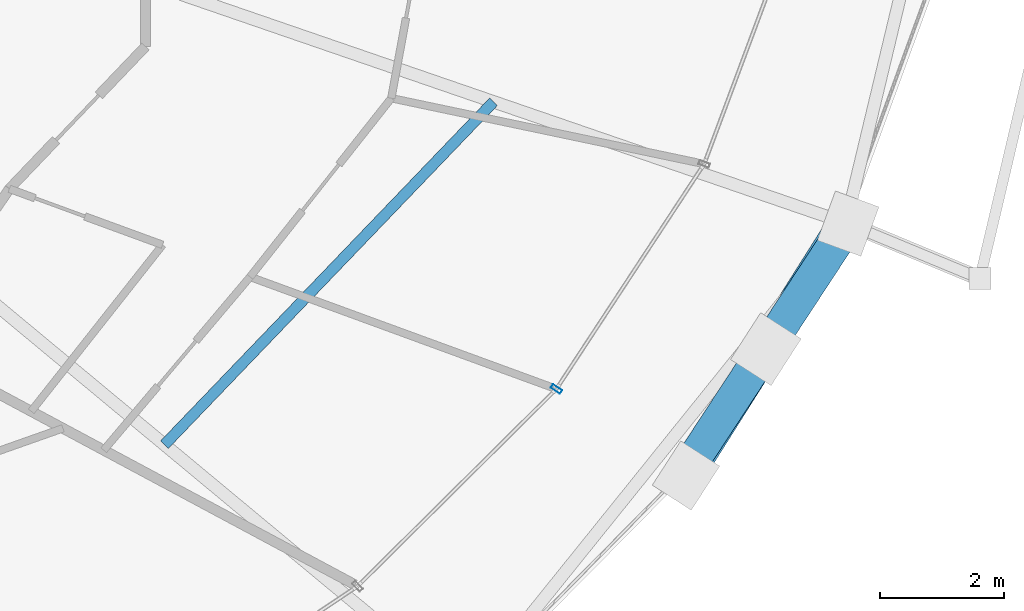
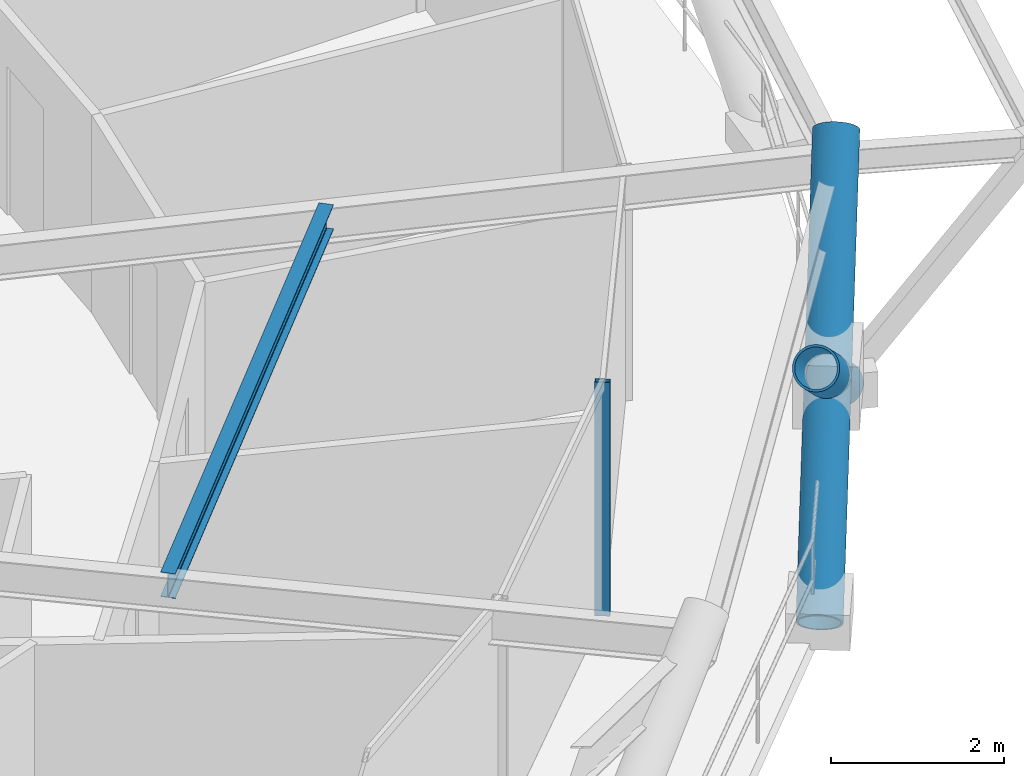
# One storey, part 8 of 22: 4 members, 1 beam, 1 element without a shape of its own.
"""IFC4 building model written with IfcOpenShell, lengths in metres."""

from ifc_helpers import new_model, si_unit, direction, frame, origin, origin_2d, place, context, subcontext, project, spatial, hollow_rectangle, hollow_circle, i_section, extrude, material, layer, layer_set, material_profile, profile_set, type_object, element, aggregate, save


model = new_model("IFC4")

# Units and contexts
model_context = context("Model", 3, precision=1e-05, world=origin(), true_north=direction((0.0, 1.0)))
body_context = subcontext(model_context, "Body", "Model", "MODEL_VIEW")
ifc_project = project(units=[si_unit("LENGTHUNIT", "METRE"), si_unit("AREAUNIT", "SQUARE_METRE"), si_unit("VOLUMEUNIT", "CUBIC_METRE"), si_unit("PLANEANGLEUNIT", "RADIAN"), si_unit("MASSUNIT", "GRAM", prefix="KILO")], contexts=[model_context])

# Site, building, storey
site_placement = place(None, origin())
site = spatial("IfcSite", under=ifc_project, at=site_placement, CompositionType="ELEMENT")
building_placement = place(site_placement, origin())
building = spatial("IfcBuilding", under=site, at=building_placement, Name="Veldorina Hangang Commons", CompositionType="ELEMENT")
storey_placement = place(building_placement, frame((0.0, 0.0, 146.0)))
storey = spatial("IfcBuildingStorey", under=building, at=storey_placement, Name="L37", CompositionType="ELEMENT", Elevation=146.0)

# Beam
ifc_material_1 = material(Name="Steel SM355-TMC", Category="steel")
ifc_material_profile_1 = material_profile(ifc_material_1, i_section(OverallWidth=0.175048828125, OverallDepth=0.35009765625, WebThickness=0.007080078125, FlangeThickness=0.010986328125, FilletRadius=0.012939453125, at=origin_2d()), Name="H-350x175x7x11")
ifc_profile_set_1 = profile_set([ifc_material_profile_1], Name="Steel SM355-TMC")
beam_type = type_object("IfcBeamType", Name="BM-JST350", PredefinedType="JOIST", material=ifc_profile_set_1)
beam_placement = place(storey_placement, frame((47.156982421875, 11.41064453125, 3.175048828125), z_axis=(0.692356542622, 0.721555554263, 0.0), x_axis=(-0.721555554263, 0.692356542622, 0.0)))
element("IfcBeam", 1, at=beam_placement, inside=storey, type_object=beam_type, Name="L37 secondary floor joist 15", PredefinedType="JOIST", context=body_context, shape_type="SweptSolid", body=[
    extrude(i_section(OverallWidth=0.175048828125, OverallDepth=0.35009765625, WebThickness=0.007080078125, FlangeThickness=0.010986328125, FilletRadius=0.012939453125, at=origin_2d()), origin(), (0.0, 0.0, 1.0), 7.68408203125),
])

# Curtain wall, member
ifc_material_2 = material(Name="Glass Low-E Triple IGU", Category="glass")
ifc_layer = layer(ifc_material_2, 0.179931640625)
ifc_layer_set = layer_set([ifc_layer], Name="Glass Low-E Triple IGU")
curtain_wall_type = type_object("IfcCurtainWallType", Name="CW-SYS-Z2", PredefinedType="NOTDEFINED", material=ifc_layer_set)
curtain_wall_placement = place(storey_placement, origin())
curtain_wall = element("IfcCurtainWall", 2, at=curtain_wall_placement, inside=storey, type_object=curtain_wall_type, Name="L37 unitised curtain wall CW-L37-R2", PredefinedType="NOTDEFINED")
ifc_material_3 = material(Name="Aluminium Anodized AA6063-T6", Category="aluminium")
ifc_material_profile_2 = material_profile(ifc_material_3, hollow_rectangle(XDim=0.070068359375, YDim=0.179931640625, WallThickness=0.00390625, at=origin_2d()), Name="ALU-RHS-180x70x4")
ifc_profile_set_2 = profile_set([ifc_material_profile_2], Name="Aluminium Anodized AA6063-T6")
member_type_1 = type_object("IfcMemberType", Name="CW-MUL-180", PredefinedType="MULLION", material=ifc_profile_set_2)
member_1_placement = place(storey_placement, frame((53.493896484375, 12.311279296875, 0.0), z_axis=(0.0, 0.0, 1.0), x_axis=(0.548935289446, 0.83586485032, 0.0)))
member_1 = element("IfcMember", 3, at=member_1_placement, type_object=member_type_1, Name="CW-L37-R2 vertical mullion 3", PredefinedType="MULLION", context=body_context, shape_type="SweptSolid", body=[
    extrude(hollow_rectangle(XDim=0.070068359375, YDim=0.179931640625, WallThickness=0.00390625, at=origin_2d()), origin(), (0.0, 0.0, 1.0), 3.31005859375),
])
aggregate(curtain_wall, [member_1])

# Members
ifc_material_4 = material(Name="Steel SM420-TMC", Category="steel")
ifc_material_profile_3 = material_profile(ifc_material_4, hollow_circle(Radius=0.27490234375, WallThickness=0.028076171875, at=origin_2d()), Name="CHS-550x28")
ifc_profile_set_3 = profile_set([ifc_material_profile_3], Name="Steel SM420-TMC")
member_type_2 = type_object("IfcMemberType", Name="DG-CHS550", PredefinedType="BRACE", material=ifc_profile_set_3)
member_2_placement = place(storey_placement, frame((55.589111328125, 10.9111328125, 0.0), z_axis=(0.428272573947, 0.677942924057, 0.59747468074), x_axis=(-0.845433667957, 0.534080436906, 0.0)))
element("IfcMember", 4, at=member_2_placement, inside=storey, type_object=member_type_2, Name="L37 continuous perimeter diagrid brace 29", PredefinedType="BRACE", context=body_context, shape_type="SweptSolid", body=[
    extrude(hollow_circle(Radius=0.27490234375, WallThickness=0.028076171875, at=origin_2d()), origin(), (0.0, 0.0, 1.0), 6.025634765625),
])
member_3_placement = place(storey_placement, frame((58.2109375, 14.984130859375, 0.0), z_axis=(-0.440304168589, -0.671443659659, 0.596066817587), x_axis=(0.836236803459, -0.548368497035, 0.0)))
element("IfcMember", 5, at=member_3_placement, inside=storey, type_object=member_type_2, Name="L37 split perimeter diagrid lower brace 30", PredefinedType="BRACE", context=body_context, shape_type="SweptSolid", body=[
    extrude(hollow_circle(Radius=0.27490234375, WallThickness=0.028076171875, at=origin_2d()), origin(), (0.0, 0.0, 1.0), 3.02197265625),
])
member_4_placement = place(storey_placement, frame((56.88037109375, 12.955078125, 1.80126953125), z_axis=(-0.440168715127, -0.671538412841, 0.596060116349), x_axis=(0.836349630304, -0.548196402661, 0.0)))
element("IfcMember", 6, at=member_4_placement, inside=storey, type_object=member_type_2, Name="L37 split perimeter diagrid upper brace 30", PredefinedType="BRACE", context=body_context, shape_type="SweptSolid", body=[
    extrude(hollow_circle(Radius=0.27490234375, WallThickness=0.028076171875, at=origin_2d()), origin(), (0.0, 0.0, 1.0), 3.017822265625),
])

save(model, "model.ifc")
